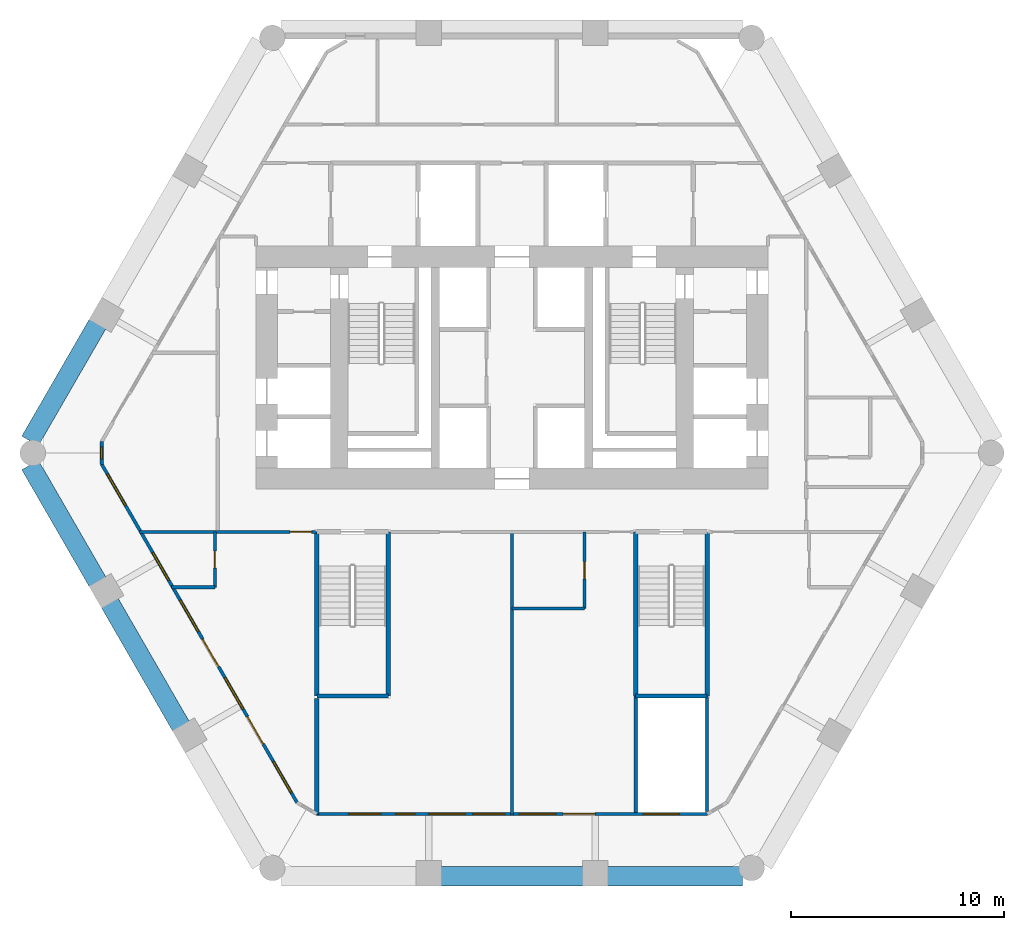
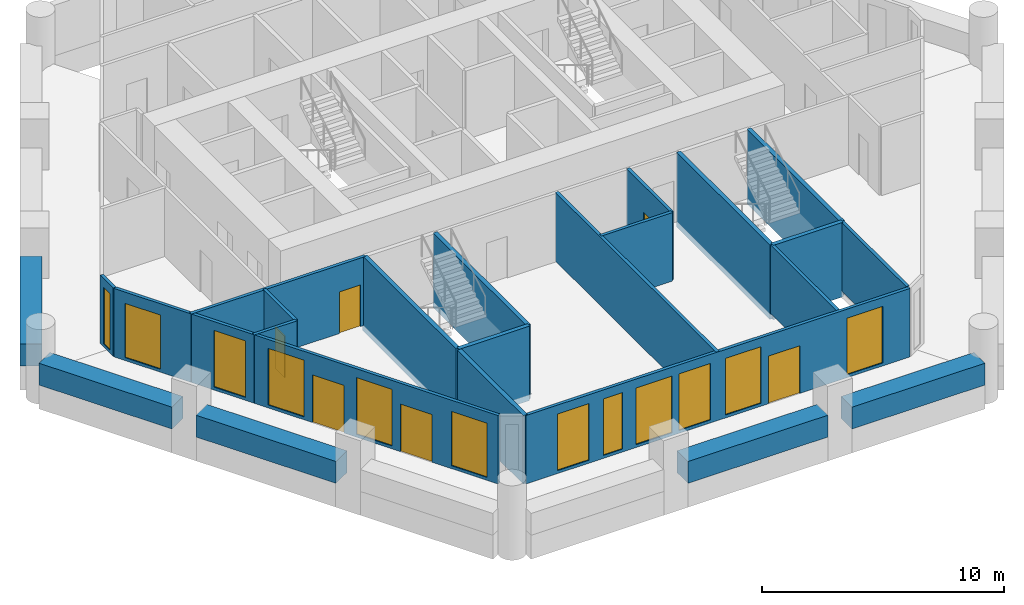
# One storey, part 2 of 7: 23 walls, 12 windows, 6 doors, 18 openings.
"""IFC4 building model written with IfcOpenShell, lengths in metres."""

from ifc_helpers import new_model, si_unit, direction, frame, frame_2d, origin, place, context, subcontext, project, spatial, rectangle, extrude, material, layer, layer_set, type_object, element, fill, save


model = new_model("IFC4")

# Units and contexts
model_context = context("Model", 3, precision=1e-05, world=origin(), true_north=direction((0.0, 1.0)))
body_context = subcontext(model_context, "Body", "Model", "MODEL_VIEW")
ifc_project = project(units=[si_unit("LENGTHUNIT", "METRE"), si_unit("AREAUNIT", "SQUARE_METRE"), si_unit("VOLUMEUNIT", "CUBIC_METRE"), si_unit("PLANEANGLEUNIT", "RADIAN"), si_unit("MASSUNIT", "GRAM", prefix="KILO")], contexts=[model_context])

# Site, building, storey
site_placement = place(None, origin())
site = spatial("IfcSite", under=ifc_project, at=site_placement, CompositionType="ELEMENT")
building_placement = place(site_placement, origin())
building = spatial("IfcBuilding", under=site, at=building_placement, Name="Ostrander Bayou Hotel Tower", CompositionType="ELEMENT")
storey_placement = place(building_placement, frame((0.0, 0.0, 89.25)))
storey = spatial("IfcBuildingStorey", under=building, at=storey_placement, Name="L22", CompositionType="ELEMENT", Elevation=89.25)

# Wall, openings, doors, windows
ifc_material_1 = material(Name="Aluminium framed insulated wall", Category="aluminium")
ifc_layer_1 = layer(ifc_material_1, 0.14990234375)
ifc_layer_set_1 = layer_set([ifc_layer_1], Name="GW1 glass-line wall 150 mm")
wall_type_1 = type_object("IfcWallType", Name="GW1 glass-line wall 150 mm", PredefinedType="SOLIDWALL", material=ifc_layer_set_1)
wall_1_placement = place(storey_placement, frame((-19.23583984375, -0.532470703125, 0.0), z_axis=(0.0, 0.0, 1.0), x_axis=(0.499995945303, -0.866027744752, 0.0)))
wall_1 = element("IfcWall", 1, at=wall_1_placement, inside=storey, type_object=wall_type_1, Name="GW1 L22 SW 1", PredefinedType="SOLIDWALL", context=body_context, shape_type="SweptSolid", body=[
    extrude(rectangle(XDim=18.313720703125, YDim=0.14990234375, at=frame_2d((9.15673828125, 0.0))), origin(), (0.0, 0.0, 1.0), 3.449951171875),
])
opening_1_placement = place(wall_1_placement, frame((4.78369140625, 0.0, 0.14990234375)))
opening_1 = element("IfcOpeningElement", 2, at=opening_1_placement, cuts=wall_1, Name="Opening W12", PredefinedType="OPENING", context=body_context, shape_type="SweptSolid", body=[
    extrude(rectangle(XDim=1.5, YDim=2.85009765625, at=frame_2d((0.75, 1.425048828125))), frame((0.0, 0.074951171875, 0.0), z_axis=(0.0, -1.0, 0.0), x_axis=(1.0, 0.0, 0.0)), (0.0, 0.0, 1.0), 0.14990234375),
])
opening_2_placement = place(wall_1_placement, frame((7.356689453125, 0.0, 0.14990234375)))
opening_2 = element("IfcOpeningElement", 3, at=opening_2_placement, cuts=wall_1, Name="Opening W2", PredefinedType="OPENING", context=body_context, shape_type="SweptSolid", body=[
    extrude(rectangle(XDim=1.699951171875, YDim=2.85009765625, at=frame_2d((0.85009765625, 1.425048828125))), frame((0.0, 0.074951171875, 0.0), z_axis=(0.0, -1.0, 0.0), x_axis=(1.0, 0.0, 0.0)), (0.0, 0.0, 1.0), 0.14990234375),
])
opening_3_placement = place(wall_1_placement, frame((9.456787109375, 0.0, 0.0)))
opening_3 = element("IfcOpeningElement", 4, at=opening_3_placement, cuts=wall_1, Name="Opening T21-801", PredefinedType="OPENING", context=body_context, shape_type="SweptSolid", body=[
    extrude(rectangle(XDim=1.5, YDim=2.39990234375, at=frame_2d((0.75, 1.199951171875))), frame((0.0, 0.074951171875, 0.0), z_axis=(0.0, -1.0, 0.0), x_axis=(1.0, 0.0, 0.0)), (0.0, 0.0, 1.0), 0.14990234375),
])
opening_4_placement = place(wall_1_placement, frame((11.556884765625, 0.0, 0.14990234375)))
opening_4 = element("IfcOpeningElement", 5, at=opening_4_placement, cuts=wall_1, Name="Opening W2", PredefinedType="OPENING", context=body_context, shape_type="SweptSolid", body=[
    extrude(rectangle(XDim=1.699951171875, YDim=2.85009765625, at=frame_2d((0.85009765625, 1.425048828125))), frame((0.0, 0.074951171875, 0.0), z_axis=(0.0, -1.0, 0.0), x_axis=(1.0, 0.0, 0.0)), (0.0, 0.0, 1.0), 0.14990234375),
])
opening_5_placement = place(wall_1_placement, frame((13.65673828125, 0.0, 0.0)))
opening_5 = element("IfcOpeningElement", 6, at=opening_5_placement, cuts=wall_1, Name="Opening T21-802", PredefinedType="OPENING", context=body_context, shape_type="SweptSolid", body=[
    extrude(rectangle(XDim=1.5, YDim=2.39990234375, at=frame_2d((0.75, 1.199951171875))), frame((0.0, 0.074951171875, 0.0), z_axis=(0.0, -1.0, 0.0), x_axis=(1.0, 0.0, 0.0)), (0.0, 0.0, 1.0), 0.14990234375),
])
opening_6_placement = place(wall_1_placement, frame((0.5283203125, 0.0, 0.14990234375)))
opening_6 = element("IfcOpeningElement", 7, at=opening_6_placement, cuts=wall_1, Name="Opening W2", PredefinedType="OPENING", context=body_context, shape_type="SweptSolid", body=[
    extrude(rectangle(XDim=1.699951171875, YDim=2.72998046875, at=frame_2d((0.85009765625, 1.364990234375))), frame((0.0, 0.074951171875, 0.0), z_axis=(0.0, -1.0, 0.0), x_axis=(1.0, 0.0, 0.0)), (0.0, 0.0, 1.0), 0.14990234375),
])
opening_7_placement = place(wall_1_placement, frame((16.085205078125, 0.0, 0.14990234375)))
opening_7 = element("IfcOpeningElement", 8, at=opening_7_placement, cuts=wall_1, Name="Opening W2", PredefinedType="OPENING", context=body_context, shape_type="SweptSolid", body=[
    extrude(rectangle(XDim=1.699951171875, YDim=2.72998046875, at=frame_2d((0.85009765625, 1.364990234375))), frame((0.0, 0.074951171875, 0.0), z_axis=(0.0, -1.0, 0.0), x_axis=(1.0, 0.0, 0.0)), (0.0, 0.0, 1.0), 0.14990234375),
])
ifc_material_2 = material(Name="Aluminium and clear glass", Category="aluminium")
door_type_1 = type_object("IfcDoorType", Name="SD2 sliding glass door 1500 mm, zone 2", OperationType="SLIDING_TO_LEFT", PredefinedType="DOOR", material=ifc_material_2)
door_1_placement = place(opening_3_placement, origin())
door_1 = element("IfcDoor", 9, at=door_1_placement, inside=storey, type_object=door_type_1, Name="SD2 L22 SW 2", OperationType="SLIDING_TO_RIGHT", OverallHeight=2.39990234375, OverallWidth=1.5, PredefinedType="DOOR", context=body_context, shape_type="SweptSolid", body=[
    extrude(rectangle(XDim=1.5, YDim=2.39990234375, at=frame_2d((0.75, 1.199951171875))), frame((0.0, 0.02490234375, 0.0), z_axis=(0.0, -1.0, 0.0), x_axis=(1.0, 0.0, 0.0)), (0.0, 0.0, 1.0), 0.050048828125),
])
fill(opening_3, door_1)
door_2_placement = place(opening_5_placement, origin())
door_2 = element("IfcDoor", 10, at=door_2_placement, inside=storey, type_object=door_type_1, Name="SD2 L22 SW 3", OperationType="SLIDING_TO_LEFT", OverallHeight=2.39990234375, OverallWidth=1.5, PredefinedType="DOOR", context=body_context, shape_type="SweptSolid", body=[
    extrude(rectangle(XDim=1.5, YDim=2.39990234375, at=frame_2d((0.75, 1.199951171875))), frame((0.0, 0.02490234375, 0.0), z_axis=(0.0, -1.0, 0.0), x_axis=(1.0, 0.0, 0.0)), (0.0, 0.0, 1.0), 0.050048828125),
])
fill(opening_5, door_2)
ifc_material_3 = material(Name="Aluminium and clear glass", Category="aluminium")
window_type_1 = type_object("IfcWindowType", Name="W12 fixed window 1500 mm, bath bay, zone 2", PartitioningType="SINGLE_PANEL", PredefinedType="WINDOW", material=ifc_material_3)
window_1_placement = place(opening_1_placement, origin())
window_1 = element("IfcWindow", 11, at=window_1_placement, inside=storey, type_object=window_type_1, Name="W12 L22 SW 1", OverallHeight=2.85009765625, OverallWidth=1.5, PartitioningType="SINGLE_PANEL", PredefinedType="WINDOW", context=body_context, shape_type="SweptSolid", body=[
    extrude(rectangle(XDim=1.5, YDim=2.85009765625, at=frame_2d((0.75, 1.425048828125))), frame((0.0, 0.030029296875, 0.0), z_axis=(0.0, -1.0, 0.0), x_axis=(1.0, 0.0, 0.0)), (0.0, 0.0, 1.0), 0.06005859375),
])
fill(opening_1, window_1)
ifc_material_4 = material(Name="Aluminium and clear glass", Category="aluminium")
window_type_2 = type_object("IfcWindowType", Name="W2 fixed window 1700 mm, zone 2", PartitioningType="SINGLE_PANEL", PredefinedType="WINDOW", material=ifc_material_4)
window_2_placement = place(opening_2_placement, origin())
window_2 = element("IfcWindow", 12, at=window_2_placement, inside=storey, type_object=window_type_2, Name="W2 L22 SW 2", OverallHeight=2.85009765625, OverallWidth=1.699951171875, PartitioningType="SINGLE_PANEL", PredefinedType="WINDOW", context=body_context, shape_type="SweptSolid", body=[
    extrude(rectangle(XDim=1.699951171875, YDim=2.85009765625, at=frame_2d((0.85009765625, 1.425048828125))), frame((0.0, 0.030029296875, 0.0), z_axis=(0.0, -1.0, 0.0), x_axis=(1.0, 0.0, 0.0)), (0.0, 0.0, 1.0), 0.06005859375),
])
fill(opening_2, window_2)
window_3_placement = place(opening_4_placement, origin())
window_3 = element("IfcWindow", 13, at=window_3_placement, inside=storey, type_object=window_type_2, Name="W2 L22 SW 3", OverallHeight=2.85009765625, OverallWidth=1.699951171875, PartitioningType="SINGLE_PANEL", PredefinedType="WINDOW", context=body_context, shape_type="SweptSolid", body=[
    extrude(rectangle(XDim=1.699951171875, YDim=2.85009765625, at=frame_2d((0.85009765625, 1.425048828125))), frame((0.0, 0.030029296875, 0.0), z_axis=(0.0, -1.0, 0.0), x_axis=(1.0, 0.0, 0.0)), (0.0, 0.0, 1.0), 0.06005859375),
])
fill(opening_4, window_3)
window_4_placement = place(opening_6_placement, origin())
window_4 = element("IfcWindow", 14, at=window_4_placement, inside=storey, type_object=window_type_2, Name="W2 L22 SW E11", OverallHeight=2.72998046875, OverallWidth=1.699951171875, PartitioningType="SINGLE_PANEL", PredefinedType="WINDOW", context=body_context, shape_type="SweptSolid", body=[
    extrude(rectangle(XDim=1.699951171875, YDim=2.72998046875, at=frame_2d((0.85009765625, 1.364990234375))), frame((0.0, 0.030029296875, 0.0), z_axis=(0.0, -1.0, 0.0), x_axis=(1.0, 0.0, 0.0)), (0.0, 0.0, 1.0), 0.06005859375),
])
fill(opening_6, window_4)
window_5_placement = place(opening_7_placement, origin())
window_5 = element("IfcWindow", 15, at=window_5_placement, inside=storey, type_object=window_type_2, Name="W2 L22 SW E21", OverallHeight=2.72998046875, OverallWidth=1.699951171875, PartitioningType="SINGLE_PANEL", PredefinedType="WINDOW", context=body_context, shape_type="SweptSolid", body=[
    extrude(rectangle(XDim=1.699951171875, YDim=2.72998046875, at=frame_2d((0.85009765625, 1.364990234375))), frame((0.0, 0.030029296875, 0.0), z_axis=(0.0, -1.0, 0.0), x_axis=(1.0, 0.0, 0.0)), (0.0, 0.0, 1.0), 0.06005859375),
])
fill(opening_7, window_5)

# Wall, openings, door, windows
wall_2_placement = place(storey_placement, frame((-9.15673828125, -16.925048828125, 0.0), z_axis=(0.0, 0.0, 1.0), x_axis=(1.0, 0.0, 0.0)))
wall_2 = element("IfcWall", 16, at=wall_2_placement, inside=storey, type_object=wall_type_1, Name="GW1 L22 S 1", PredefinedType="SOLIDWALL", context=body_context, shape_type="SweptSolid", body=[
    extrude(rectangle(XDim=18.3134765625, YDim=0.14990234375, at=frame_2d((9.15673828125, 0.0))), origin(), (0.0, 0.0, 1.0), 3.449951171875),
])
opening_8_placement = place(wall_2_placement, frame((3.706787109375, 0.0, 0.14990234375)))
opening_8 = element("IfcOpeningElement", 17, at=opening_8_placement, cuts=wall_2, Name="Opening W16", PredefinedType="OPENING", context=body_context, shape_type="SweptSolid", body=[
    extrude(rectangle(XDim=0.89990234375, YDim=2.85009765625, at=frame_2d((0.449951171875, 1.425048828125))), frame((0.0, 0.074951171875, 0.0), z_axis=(0.0, -1.0, 0.0), x_axis=(1.0, 0.0, 0.0)), (0.0, 0.0, 1.0), 0.14990234375),
])
opening_9_placement = place(wall_2_placement, frame((1.5068359375, 0.0, 0.14990234375)))
opening_9 = element("IfcOpeningElement", 18, at=opening_9_placement, cuts=wall_2, Name="Opening W12", PredefinedType="OPENING", context=body_context, shape_type="SweptSolid", body=[
    extrude(rectangle(XDim=1.5, YDim=2.85009765625, at=frame_2d((0.75, 1.425048828125))), frame((0.0, 0.074951171875, 0.0), z_axis=(0.0, -1.0, 0.0), x_axis=(1.0, 0.0, 0.0)), (0.0, 0.0, 1.0), 0.14990234375),
])
opening_10_placement = place(wall_2_placement, frame((5.2568359375, 0.0, 0.14990234375)))
opening_10 = element("IfcOpeningElement", 19, at=opening_10_placement, cuts=wall_2, Name="Opening W2", PredefinedType="OPENING", context=body_context, shape_type="SweptSolid", body=[
    extrude(rectangle(XDim=1.699951171875, YDim=2.85009765625, at=frame_2d((0.85009765625, 1.425048828125))), frame((0.0, 0.074951171875, 0.0), z_axis=(0.0, -1.0, 0.0), x_axis=(1.0, 0.0, 0.0)), (0.0, 0.0, 1.0), 0.14990234375),
])
opening_11_placement = place(wall_2_placement, frame((7.306884765625, 0.0, 0.14990234375)))
opening_11 = element("IfcOpeningElement", 20, at=opening_11_placement, cuts=wall_2, Name="Opening W12", PredefinedType="OPENING", context=body_context, shape_type="SweptSolid", body=[
    extrude(rectangle(XDim=1.5, YDim=2.85009765625, at=frame_2d((0.75, 1.425048828125))), frame((0.0, 0.074951171875, 0.0), z_axis=(0.0, -1.0, 0.0), x_axis=(1.0, 0.0, 0.0)), (0.0, 0.0, 1.0), 0.14990234375),
])
opening_12_placement = place(wall_2_placement, frame((9.5068359375, 0.0, 0.14990234375)))
opening_12 = element("IfcOpeningElement", 21, at=opening_12_placement, cuts=wall_2, Name="Opening W2", PredefinedType="OPENING", context=body_context, shape_type="SweptSolid", body=[
    extrude(rectangle(XDim=1.699951171875, YDim=2.85009765625, at=frame_2d((0.85009765625, 1.425048828125))), frame((0.0, 0.074951171875, 0.0), z_axis=(0.0, -1.0, 0.0), x_axis=(1.0, 0.0, 0.0)), (0.0, 0.0, 1.0), 0.14990234375),
])
opening_13_placement = place(wall_2_placement, frame((11.556884765625, 0.0, 0.0)))
opening_13 = element("IfcOpeningElement", 22, at=opening_13_placement, cuts=wall_2, Name="Opening T21-803", PredefinedType="OPENING", context=body_context, shape_type="SweptSolid", body=[
    extrude(rectangle(XDim=1.5, YDim=2.39990234375, at=frame_2d((0.75, 1.199951171875))), frame((0.0, 0.074951171875, 0.0), z_axis=(0.0, -1.0, 0.0), x_axis=(1.0, 0.0, 0.0)), (0.0, 0.0, 1.0), 0.14990234375),
])
opening_14_placement = place(wall_2_placement, frame((15.306884765625, 0.0, 0.14990234375)))
opening_14 = element("IfcOpeningElement", 23, at=opening_14_placement, cuts=wall_2, Name="Opening W2", PredefinedType="OPENING", context=body_context, shape_type="SweptSolid", body=[
    extrude(rectangle(XDim=1.699951171875, YDim=2.85009765625, at=frame_2d((0.85009765625, 1.425048828125))), frame((0.0, 0.074951171875, 0.0), z_axis=(0.0, -1.0, 0.0), x_axis=(1.0, 0.0, 0.0)), (0.0, 0.0, 1.0), 0.14990234375),
])
door_3_placement = place(opening_13_placement, origin())
door_3 = element("IfcDoor", 24, at=door_3_placement, inside=storey, type_object=door_type_1, Name="SD2 L22 S 3", OperationType="SLIDING_TO_LEFT", OverallHeight=2.39990234375, OverallWidth=1.5, PredefinedType="DOOR", context=body_context, shape_type="SweptSolid", body=[
    extrude(rectangle(XDim=1.5, YDim=2.39990234375, at=frame_2d((0.75, 1.199951171875))), frame((0.0, 0.02490234375, 0.0), z_axis=(0.0, -1.0, 0.0), x_axis=(1.0, 0.0, 0.0)), (0.0, 0.0, 1.0), 0.050048828125),
])
fill(opening_13, door_3)
window_6_placement = place(opening_9_placement, origin())
window_6 = element("IfcWindow", 25, at=window_6_placement, inside=storey, type_object=window_type_1, Name="W12 L22 S 1", OverallHeight=2.85009765625, OverallWidth=1.5, PartitioningType="SINGLE_PANEL", PredefinedType="WINDOW", context=body_context, shape_type="SweptSolid", body=[
    extrude(rectangle(XDim=1.5, YDim=2.85009765625, at=frame_2d((0.75, 1.425048828125))), frame((0.0, 0.030029296875, 0.0), z_axis=(0.0, -1.0, 0.0), x_axis=(1.0, 0.0, 0.0)), (0.0, 0.0, 1.0), 0.06005859375),
])
fill(opening_9, window_6)
window_7_placement = place(opening_11_placement, origin())
window_7 = element("IfcWindow", 26, at=window_7_placement, inside=storey, type_object=window_type_1, Name="W12 L22 S 2", OverallHeight=2.85009765625, OverallWidth=1.5, PartitioningType="SINGLE_PANEL", PredefinedType="WINDOW", context=body_context, shape_type="SweptSolid", body=[
    extrude(rectangle(XDim=1.5, YDim=2.85009765625, at=frame_2d((0.75, 1.425048828125))), frame((0.0, 0.030029296875, 0.0), z_axis=(0.0, -1.0, 0.0), x_axis=(1.0, 0.0, 0.0)), (0.0, 0.0, 1.0), 0.06005859375),
])
fill(opening_11, window_7)
ifc_material_5 = material(Name="Aluminium and clear glass", Category="aluminium")
window_type_3 = type_object("IfcWindowType", Name="W16 window 900 mm, zone 2", PartitioningType="SINGLE_PANEL", PredefinedType="WINDOW", material=ifc_material_5)
window_8_placement = place(opening_8_placement, origin())
window_8 = element("IfcWindow", 27, at=window_8_placement, inside=storey, type_object=window_type_3, Name="W16 L22 S 1", OverallHeight=2.85009765625, OverallWidth=0.89990234375, PartitioningType="SINGLE_PANEL", PredefinedType="WINDOW", context=body_context, shape_type="SweptSolid", body=[
    extrude(rectangle(XDim=0.89990234375, YDim=2.85009765625, at=frame_2d((0.449951171875, 1.425048828125))), frame((0.0, 0.030029296875, 0.0), z_axis=(0.0, -1.0, 0.0), x_axis=(1.0, 0.0, 0.0)), (0.0, 0.0, 1.0), 0.06005859375),
])
fill(opening_8, window_8)
window_9_placement = place(opening_10_placement, origin())
window_9 = element("IfcWindow", 28, at=window_9_placement, inside=storey, type_object=window_type_2, Name="W2 L22 S 2", OverallHeight=2.85009765625, OverallWidth=1.699951171875, PartitioningType="SINGLE_PANEL", PredefinedType="WINDOW", context=body_context, shape_type="SweptSolid", body=[
    extrude(rectangle(XDim=1.699951171875, YDim=2.85009765625, at=frame_2d((0.85009765625, 1.425048828125))), frame((0.0, 0.030029296875, 0.0), z_axis=(0.0, -1.0, 0.0), x_axis=(1.0, 0.0, 0.0)), (0.0, 0.0, 1.0), 0.06005859375),
])
fill(opening_10, window_9)
window_10_placement = place(opening_12_placement, origin())
window_10 = element("IfcWindow", 29, at=window_10_placement, inside=storey, type_object=window_type_2, Name="W2 L22 S 3", OverallHeight=2.85009765625, OverallWidth=1.699951171875, PartitioningType="SINGLE_PANEL", PredefinedType="WINDOW", context=body_context, shape_type="SweptSolid", body=[
    extrude(rectangle(XDim=1.699951171875, YDim=2.85009765625, at=frame_2d((0.85009765625, 1.425048828125))), frame((0.0, 0.030029296875, 0.0), z_axis=(0.0, -1.0, 0.0), x_axis=(1.0, 0.0, 0.0)), (0.0, 0.0, 1.0), 0.06005859375),
])
fill(opening_12, window_10)
window_11_placement = place(opening_14_placement, origin())
window_11 = element("IfcWindow", 30, at=window_11_placement, inside=storey, type_object=window_type_2, Name="W2 L22 S 4", OverallHeight=2.85009765625, OverallWidth=1.699951171875, PartitioningType="SINGLE_PANEL", PredefinedType="WINDOW", context=body_context, shape_type="SweptSolid", body=[
    extrude(rectangle(XDim=1.699951171875, YDim=2.85009765625, at=frame_2d((0.85009765625, 1.425048828125))), frame((0.0, 0.030029296875, 0.0), z_axis=(0.0, -1.0, 0.0), x_axis=(1.0, 0.0, 0.0)), (0.0, 0.0, 1.0), 0.06005859375),
])
fill(opening_14, window_11)

# Wall, opening, window
wall_3_placement = place(storey_placement, frame((-19.23583984375, 0.532470703125, 0.0), z_axis=(0.0, 0.0, 1.0), x_axis=(0.0, -1.0, 0.0)))
wall_3 = element("IfcWall", 31, at=wall_3_placement, inside=storey, type_object=wall_type_1, Name="GW1 L22 corner 2", PredefinedType="SOLIDWALL", context=body_context, shape_type="SweptSolid", body=[
    extrude(rectangle(XDim=1.06494140625, YDim=0.14990234375, at=frame_2d((0.532470703125, 0.0))), origin(), (0.0, 0.0, 1.0), 3.449951171875),
])
opening_15_placement = place(wall_3_placement, frame((0.257568359375, 0.0, 0.14990234375)))
opening_15 = element("IfcOpeningElement", 32, at=opening_15_placement, cuts=wall_3, Name="Opening W19", PredefinedType="OPENING", context=body_context, shape_type="SweptSolid", body=[
    extrude(rectangle(XDim=0.550048828125, YDim=2.85009765625, at=frame_2d((0.27490234375, 1.425048828125))), frame((0.0, 0.074951171875, 0.0), z_axis=(0.0, -1.0, 0.0), x_axis=(1.0, 0.0, 0.0)), (0.0, 0.0, 1.0), 0.14990234375),
])
ifc_material_6 = material(Name="Aluminium and clear glass", Category="aluminium")
window_type_4 = type_object("IfcWindowType", Name="W19 corner window 550 mm", PartitioningType="SINGLE_PANEL", PredefinedType="WINDOW", material=ifc_material_6)
window_12_placement = place(opening_15_placement, origin())
window_12 = element("IfcWindow", 33, at=window_12_placement, inside=storey, type_object=window_type_4, Name="W19 L22 corner 2", OverallHeight=2.85009765625, OverallWidth=0.550048828125, PartitioningType="SINGLE_PANEL", PredefinedType="WINDOW", context=body_context, shape_type="SweptSolid", body=[
    extrude(rectangle(XDim=0.550048828125, YDim=2.85009765625, at=frame_2d((0.27490234375, 1.425048828125))), frame((0.0, 0.030029296875, 0.0), z_axis=(0.0, -1.0, 0.0), x_axis=(1.0, 0.0, 0.0)), (0.0, 0.0, 1.0), 0.06005859375),
])
fill(opening_15, window_12)

# Walls
ifc_material_7 = material(Name="Concrete f'c 40 MPa", Category="concrete")
ifc_layer_2 = layer(ifc_material_7, 0.89990234375)
ifc_layer_set_2 = layer_set([ifc_layer_2], Name="PA1 stone-faced parapet 900 mm")
wall_type_2 = type_object("IfcWallType", Name="PA1 stone-faced parapet 900 mm", PredefinedType="PARAPET", material=ifc_layer_set_2)
wall_4_placement = place(storey_placement, frame((-19.428955078125, 6.048095703125, 0.0), z_axis=(0.0, 0.0, 1.0), x_axis=(-0.500011668103, -0.866018667098, 0.0)))
element("IfcWall", 34, at=wall_4_placement, inside=storey, type_object=wall_type_2, Name="PA1 L22 NW-3", PredefinedType="PARAPET", context=body_context, shape_type="SweptSolid", body=[
    extrude(rectangle(XDim=6.332763671875, YDim=0.89990234375, at=frame_2d((3.16650390625, 0.0))), origin(), (0.0, 0.0, 1.0), 1.10009765625),
])
wall_5_placement = place(storey_placement, frame((-3.336669921875, -19.85009765625, 0.0), z_axis=(0.0, 0.0, 1.0), x_axis=(1.0, 0.0, 0.0)))
element("IfcWall", 35, at=wall_5_placement, inside=storey, type_object=wall_type_2, Name="PA1 L22 S-2", PredefinedType="PARAPET", context=body_context, shape_type="SweptSolid", body=[
    extrude(rectangle(XDim=6.67333984375, YDim=0.89990234375, at=frame_2d((3.336669921875, 0.0))), origin(), (0.0, 0.0, 1.0), 1.10009765625),
])
wall_6_placement = place(storey_placement, frame((4.476806640625, -19.85009765625, 0.0), z_axis=(0.0, 0.0, 1.0), x_axis=(1.0, 0.0, 0.0)))
element("IfcWall", 36, at=wall_6_placement, inside=storey, type_object=wall_type_2, Name="PA1 L22 S-3", PredefinedType="PARAPET", context=body_context, shape_type="SweptSolid", body=[
    extrude(rectangle(XDim=6.332763671875, YDim=0.89990234375, at=frame_2d((3.16650390625, 0.0))), origin(), (0.0, 0.0, 1.0), 1.10009765625),
])
ifc_material_8 = material(Name="Limestone masonry", Category="masonry")
ifc_layer_3 = layer(ifc_material_8, 0.89990234375)
ifc_layer_set_3 = layer_set([ifc_layer_3], Name="PA2 limestone parapet 900 mm")
wall_type_3 = type_object("IfcWallType", Name="PA2 limestone parapet 900 mm", PredefinedType="PARAPET", material=ifc_layer_set_3)
wall_7_placement = place(storey_placement, frame((-22.595458984375, -0.563720703125, 0.0), z_axis=(0.0, 0.0, 1.0), x_axis=(0.500011668103, -0.866018667098, 0.0)))
element("IfcWall", 37, at=wall_7_placement, inside=storey, type_object=wall_type_3, Name="PA2 L22 SW-1", PredefinedType="PARAPET", context=body_context, shape_type="SweptSolid", body=[
    extrude(rectangle(XDim=6.332763671875, YDim=0.89990234375, at=frame_2d((3.16650390625, 0.0))), origin(), (0.0, 0.0, 1.0), 1.10009765625),
])
wall_8_placement = place(storey_placement, frame((-18.85888671875, -7.035400390625, 0.0), z_axis=(0.0, 0.0, 1.0), x_axis=(0.499999023957, -0.866025967302, 0.0)))
element("IfcWall", 38, at=wall_8_placement, inside=storey, type_object=wall_type_3, Name="PA2 L22 SW-2", PredefinedType="PARAPET", context=body_context, shape_type="SweptSolid", body=[
    extrude(rectangle(XDim=6.67333984375, YDim=0.89990234375, at=frame_2d((3.336669921875, 0.0))), origin(), (0.0, 0.0, 1.0), 1.10009765625),
])
ifc_material_9 = material(Name="Gypsum board partition", Category="finish")
ifc_layer_4 = layer(ifc_material_9, 0.199951171875)
ifc_layer_set_4 = layer_set([ifc_layer_4], Name="PT3 demising wall 200 mm acoustic double stud, 1 hour")
wall_type_4 = type_object("IfcWallType", Name="PT3 demising wall 200 mm acoustic double stud, 1 hour", PredefinedType="PARTITIONING", material=ifc_layer_set_4)
wall_9_placement = place(storey_placement, frame((-9.14990234375, -16.948974609375, 0.0), z_axis=(0.0, 0.0, 1.0), x_axis=(0.0, 1.0, 0.0)))
element("IfcWall", 39, at=wall_9_placement, inside=storey, type_object=wall_type_4, Name="gw:L22:026", PredefinedType="PARTITIONING", context=body_context, shape_type="SweptSolid", body=[
    extrude(rectangle(XDim=5.43896484375, YDim=0.199951171875, at=frame_2d((2.719482421875, 0.0))), origin(), (0.0, 0.0, 1.0), 3.449951171875),
])
ifc_material_10 = material(Name="Gypsum board partition", Category="finish")
ifc_layer_5 = layer(ifc_material_10, 0.14990234375)
ifc_layer_set_5 = layer_set([ifc_layer_5], Name="PT7 riser wall 150 mm, 2 hour")
wall_type_5 = type_object("IfcWallType", Name="PT7 riser wall 150 mm, 2 hour", PredefinedType="PARTITIONING", material=ifc_layer_set_5)
wall_10_placement = place(storey_placement, frame((5.800048828125, -11.39990234375, 0.0), z_axis=(0.0, 0.0, 1.0), x_axis=(0.0, -1.0, 0.0)))
element("IfcWall", 40, at=wall_10_placement, inside=storey, type_object=wall_type_5, Name="cs:L22:019", PredefinedType="PARTITIONING", context=body_context, shape_type="SweptSolid", body=[
    extrude(rectangle(XDim=5.4501953125, YDim=0.14990234375, at=frame_2d((2.72509765625, 0.0))), origin(), (0.0, 0.0, 1.0), 3.449951171875),
])
wall_11_placement = place(storey_placement, frame((9.14990234375, -11.39990234375, 0.0), z_axis=(0.0, 0.0, 1.0), x_axis=(0.0, -1.0, 0.0)))
element("IfcWall", 41, at=wall_11_placement, inside=storey, type_object=wall_type_5, Name="cs:L22:020", PredefinedType="PARTITIONING", context=body_context, shape_type="SweptSolid", body=[
    extrude(rectangle(XDim=5.410888671875, YDim=0.14990234375, at=frame_2d((2.70556640625, 0.0))), origin(), (0.0, 0.0, 1.0), 3.449951171875),
])
ifc_material_11 = material(Name="Gypsum board partition", Category="finish")
ifc_layer_6 = layer(ifc_material_11, 0.14990234375)
ifc_layer_set_6 = layer_set([ifc_layer_6], Name="PT8 service band wall 150 mm, 1 hour")
wall_type_6 = type_object("IfcWallType", Name="PT8 service band wall 150 mm, 1 hour", PredefinedType="PARTITIONING", material=ifc_layer_set_6)
wall_12_placement = place(storey_placement, frame((0.0, -7.300048828125, 0.0), z_axis=(0.0, 0.0, 1.0), x_axis=(1.0, 0.0, 0.0)))
element("IfcWall", 42, at=wall_12_placement, inside=storey, type_object=wall_type_6, Name="gw:L22:001", PredefinedType="PARTITIONING", context=body_context, shape_type="SweptSolid", body=[
    extrude(rectangle(XDim=3.39990234375, YDim=0.14990234375, at=frame_2d((1.699951171875, 0.0))), origin(), (0.0, 0.0, 1.0), 3.449951171875),
])
wall_13_placement = place(storey_placement, frame((-15.9580078125, -6.300048828125, 0.0), z_axis=(0.0, 0.0, 1.0), x_axis=(1.0, 0.0, 0.0)))
element("IfcWall", 43, at=wall_13_placement, inside=storey, type_object=wall_type_6, Name="gw:L22:002", PredefinedType="PARTITIONING", context=body_context, shape_type="SweptSolid", body=[
    extrude(rectangle(XDim=2.028076171875, YDim=0.14990234375, at=frame_2d((1.01416015625, 0.0))), origin(), (0.0, 0.0, 1.0), 3.449951171875),
])

# Wall, opening, door
wall_14_placement = place(storey_placement, frame((-17.458984375, -3.699951171875, 0.0), z_axis=(0.0, 0.0, 1.0), x_axis=(1.0, 0.0, 0.0)))
wall_14 = element("IfcWall", 44, at=wall_14_placement, inside=storey, type_object=wall_type_6, Name="gw:L22:004", PredefinedType="PARTITIONING", context=body_context, shape_type="SweptSolid", body=[
    extrude(rectangle(XDim=8.299072265625, YDim=0.14990234375, at=frame_2d((4.1494140625, 0.0))), origin(), (0.0, 0.0, 1.0), 3.449951171875),
])
opening_16_placement = place(wall_14_placement, frame((7.05908203125, 0.0, 0.0)))
opening_16 = element("IfcOpeningElement", 45, at=opening_16_placement, cuts=wall_14, Name="Opening T21-401", PredefinedType="OPENING", context=body_context, shape_type="SweptSolid", body=[
    extrude(rectangle(XDim=1.0, YDim=2.10009765625, at=frame_2d((0.5, 1.050048828125))), frame((0.0, 0.074951171875, 0.0), z_axis=(0.0, -1.0, 0.0), x_axis=(1.0, 0.0, 0.0)), (0.0, 0.0, 1.0), 0.14990234375),
])
ifc_material_12 = material(Name="Timber door leaf", Category="wood")
door_type_2 = type_object("IfcDoorType", Name="D1 guest room door 1000 x 2100 mm, 30 minute", OperationType="SINGLE_SWING_LEFT", PredefinedType="DOOR", material=ifc_material_12)
door_4_placement = place(opening_16_placement, origin())
door_4 = element("IfcDoor", 46, at=door_4_placement, inside=storey, type_object=door_type_2, Name="dr:L22:401", OperationType="SINGLE_SWING_RIGHT", OverallHeight=2.10009765625, OverallWidth=1.0, PredefinedType="DOOR", context=body_context, shape_type="SweptSolid", body=[
    extrude(rectangle(XDim=1.0, YDim=2.10009765625, at=frame_2d((0.5, 1.050048828125))), frame((0.0, 0.02490234375, 0.0), z_axis=(0.0, -1.0, 0.0), x_axis=(1.0, 0.0, 0.0)), (0.0, 0.0, 1.0), 0.050048828125),
])
fill(opening_16, door_4)

wall_15_placement = place(storey_placement, frame((3.39990234375, -7.300048828125, 0.0), z_axis=(0.0, 0.0, 1.0), x_axis=(0.0, 1.0, 0.0)))
wall_15 = element("IfcWall", 47, at=wall_15_placement, inside=storey, type_object=wall_type_6, Name="gw:L22:022", PredefinedType="PARTITIONING", context=body_context, shape_type="SweptSolid", body=[
    extrude(rectangle(XDim=3.60009765625, YDim=0.14990234375, at=frame_2d((1.800048828125, 0.0))), origin(), (0.0, 0.0, 1.0), 3.449951171875),
])
opening_17_placement = place(wall_15_placement, frame((1.39990234375, 0.0, 0.0)))
opening_17 = element("IfcOpeningElement", 48, at=opening_17_placement, cuts=wall_15, Name="Opening T21-404", PredefinedType="OPENING", context=body_context, shape_type="SweptSolid", body=[
    extrude(rectangle(XDim=0.800048828125, YDim=2.10009765625, at=frame_2d((0.39990234375, 1.050048828125))), frame((0.0, 0.074951171875, 0.0), z_axis=(0.0, -1.0, 0.0), x_axis=(1.0, 0.0, 0.0)), (0.0, 0.0, 1.0), 0.14990234375),
])
ifc_material_13 = material(Name="Timber door leaf", Category="wood")
door_type_3 = type_object("IfcDoorType", Name="D2 bathroom door 800 x 2100 mm", OperationType="SINGLE_SWING_LEFT", PredefinedType="DOOR", material=ifc_material_13)
door_5_placement = place(opening_17_placement, origin())
door_5 = element("IfcDoor", 49, at=door_5_placement, inside=storey, type_object=door_type_3, Name="dr:L22:404", OperationType="SINGLE_SWING_RIGHT", OverallHeight=2.10009765625, OverallWidth=0.800048828125, PredefinedType="DOOR", context=body_context, shape_type="SweptSolid", body=[
    extrude(rectangle(XDim=0.800048828125, YDim=2.10009765625, at=frame_2d((0.39990234375, 1.050048828125))), frame((0.0, 0.02490234375, 0.0), z_axis=(0.0, -1.0, 0.0), x_axis=(1.0, 0.0, 0.0)), (0.0, 0.0, 1.0), 0.050048828125),
])
fill(opening_17, door_5)

# Wall
wall_16_placement = place(storey_placement, frame((0.0, -16.969970703125, 0.0), z_axis=(0.0, 0.0, 1.0), x_axis=(0.0, 1.0, 0.0)))
element("IfcWall", 50, at=wall_16_placement, inside=storey, type_object=wall_type_6, Name="gw:L22:024", PredefinedType="PARTITIONING", context=body_context, shape_type="SweptSolid", body=[
    extrude(rectangle(XDim=13.27001953125, YDim=0.14990234375, at=frame_2d((6.635009765625, 0.0))), origin(), (0.0, 0.0, 1.0), 3.449951171875),
])

# Wall, opening, door
wall_17_placement = place(storey_placement, frame((-13.929931640625, -6.300048828125, 0.0), z_axis=(0.0, 0.0, 1.0), x_axis=(0.0, 1.0, 0.0)))
wall_17 = element("IfcWall", 51, at=wall_17_placement, inside=storey, type_object=wall_type_6, Name="gw:L22:029", PredefinedType="PARTITIONING", context=body_context, shape_type="SweptSolid", body=[
    extrude(rectangle(XDim=2.60009765625, YDim=0.14990234375, at=frame_2d((1.300048828125, 0.0))), origin(), (0.0, 0.0, 1.0), 3.449951171875),
])
opening_18_placement = place(wall_17_placement, frame((0.89990234375, 0.0, 0.0)))
opening_18 = element("IfcOpeningElement", 52, at=opening_18_placement, cuts=wall_17, Name="Opening T21-402", PredefinedType="OPENING", context=body_context, shape_type="SweptSolid", body=[
    extrude(rectangle(XDim=0.800048828125, YDim=2.10009765625, at=frame_2d((0.39990234375, 1.050048828125))), frame((0.0, 0.074951171875, 0.0), z_axis=(0.0, -1.0, 0.0), x_axis=(1.0, 0.0, 0.0)), (0.0, 0.0, 1.0), 0.14990234375),
])
door_6_placement = place(opening_18_placement, origin())
door_6 = element("IfcDoor", 53, at=door_6_placement, inside=storey, type_object=door_type_3, Name="dr:L22:402", OperationType="SINGLE_SWING_RIGHT", OverallHeight=2.10009765625, OverallWidth=0.800048828125, PredefinedType="DOOR", context=body_context, shape_type="SweptSolid", body=[
    extrude(rectangle(XDim=0.800048828125, YDim=2.10009765625, at=frame_2d((0.39990234375, 1.050048828125))), frame((0.0, 0.02490234375, 0.0), z_axis=(0.0, -1.0, 0.0), x_axis=(1.0, 0.0, 0.0)), (0.0, 0.0, 1.0), 0.050048828125),
])
fill(opening_18, door_6)

# Walls
ifc_material_14 = material(Name="Concrete f'c 45 MPa", Category="concrete")
ifc_layer_7 = layer(ifc_material_14, 0.199951171875)
ifc_layer_set_7 = layer_set([ifc_layer_7], Name="SW5 stair enclosure wall 200 mm f'c 45 MPa")
wall_type_7 = type_object("IfcWallType", Name="SW5 stair enclosure wall 200 mm f'c 45 MPa", PredefinedType="SOLIDWALL", material=ifc_layer_set_7)
for number, where, z_axis, x_axis, name in (
    (54, (5.800048828125, -3.699951171875, -0.300048828125), (0.0, 0.0, 1.0), (0.0, -1.0, 0.0), "cs:L22:016"),
    (55, (9.14990234375, -3.699951171875, -0.300048828125), (0.0, 0.0, 1.0), (0.0, -1.0, 0.0), "cs:L22:017"),
):
    element("IfcWall", number, at=place(storey_placement, frame(where, z_axis=z_axis, x_axis=x_axis)), inside=storey, type_object=wall_type_7, Name=name, PredefinedType="SOLIDWALL", context=body_context, shape_type="SweptSolid", body=[
        extrude(rectangle(XDim=7.699951171875, YDim=0.199951171875, at=frame_2d((3.85009765625, 0.0))), origin(), (0.0, 0.0, 1.0), 3.75),
    ])
wall_18_placement = place(storey_placement, frame((5.800048828125, -11.39990234375, -0.300048828125), z_axis=(0.0, 0.0, 1.0), x_axis=(1.0, 0.0, 0.0)))
element("IfcWall", 56, at=wall_18_placement, inside=storey, type_object=wall_type_7, Name="cs:L22:018", PredefinedType="SOLIDWALL", context=body_context, shape_type="SweptSolid", body=[
    extrude(rectangle(XDim=3.349853515625, YDim=0.199951171875, at=frame_2d((1.6748046875, 0.0))), origin(), (0.0, 0.0, 1.0), 3.75),
])
for number, where, z_axis, x_axis, name in (
    (57, (-9.14990234375, -3.699951171875, -0.300048828125), (0.0, 0.0, 1.0), (0.0, -1.0, 0.0), "cs:L22:022"),
    (58, (-5.800048828125, -3.699951171875, -0.300048828125), (0.0, 0.0, 1.0), (0.0, -1.0, 0.0), "cs:L22:023"),
):
    element("IfcWall", number, at=place(storey_placement, frame(where, z_axis=z_axis, x_axis=x_axis)), inside=storey, type_object=wall_type_7, Name=name, PredefinedType="SOLIDWALL", context=body_context, shape_type="SweptSolid", body=[
        extrude(rectangle(XDim=7.699951171875, YDim=0.199951171875, at=frame_2d((3.85009765625, 0.0))), origin(), (0.0, 0.0, 1.0), 3.75),
    ])
wall_19_placement = place(storey_placement, frame((-9.14990234375, -11.39990234375, -0.300048828125), z_axis=(0.0, 0.0, 1.0), x_axis=(1.0, 0.0, 0.0)))
element("IfcWall", 59, at=wall_19_placement, inside=storey, type_object=wall_type_7, Name="cs:L22:024", PredefinedType="SOLIDWALL", context=body_context, shape_type="SweptSolid", body=[
    extrude(rectangle(XDim=3.349853515625, YDim=0.199951171875, at=frame_2d((1.6748046875, 0.0))), origin(), (0.0, 0.0, 1.0), 3.75),
])

save(model, "model.ifc")
